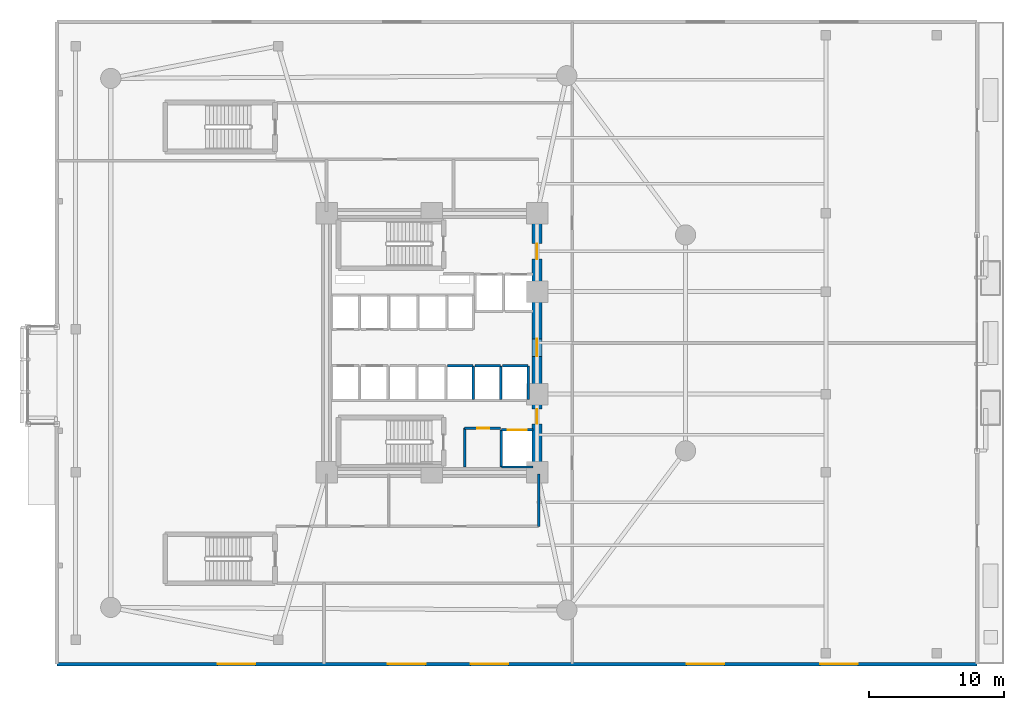
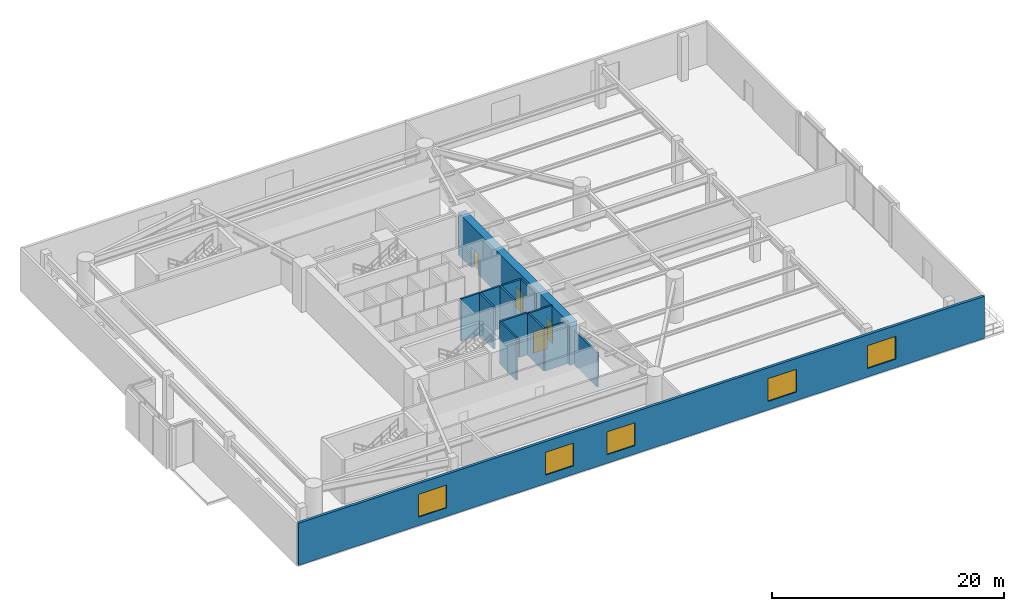
# One storey, part 10 of 16: 14 walls, 5 doors, 5 windows, 10 openings.
"""IFC4 building model written with IfcOpenShell, lengths in metres."""

from ifc_helpers import new_model, si_unit, direction, frame, frame_2d, origin, place, context, subcontext, project, spatial, rectangle, extrude, material, layer, layer_set, type_object, element, fill, save


model = new_model("IFC4")

# Units and contexts
model_context = context("Model", 3, precision=1e-05, world=origin(), true_north=direction((0.0, 1.0)))
body_context = subcontext(model_context, "Body", "Model", "MODEL_VIEW")
ifc_project = project(units=[si_unit("LENGTHUNIT", "METRE"), si_unit("AREAUNIT", "SQUARE_METRE"), si_unit("VOLUMEUNIT", "CUBIC_METRE"), si_unit("PLANEANGLEUNIT", "RADIAN"), si_unit("MASSUNIT", "GRAM", prefix="KILO")], contexts=[model_context])

# Site, building, storey
site_placement = place(None, origin())
site = spatial("IfcSite", under=ifc_project, at=site_placement, CompositionType="ELEMENT")
building_placement = place(site_placement, origin())
building = spatial("IfcBuilding", under=site, at=building_placement, Name="An Khanh Terracotta Commons", CompositionType="ELEMENT")
storey_placement = place(building_placement, frame((0.0, 0.0, 10.050048828125)))
storey = spatial("IfcBuildingStorey", under=building, at=storey_placement, Name="L03", CompositionType="ELEMENT", Elevation=10.050048828125)

# Wall, openings, doors
ifc_material_1 = material(Name="Concrete C70/85", Category="concrete")
ifc_layer_1 = layer(ifc_material_1, 0.75, Name="Concrete C70/85")
ifc_layer_set_1 = layer_set([ifc_layer_1], Name="Concrete C70/85")
wall_type_1 = type_object("IfcWallType", Name="WALL-CORE-750", PredefinedType="SHEAR", material=ifc_layer_set_1)
wall_1_placement = place(storey_placement, frame((37.199951171875, 14.39990234375, 0.0), z_axis=(0.0, 0.0, 1.0), x_axis=(0.0, 1.0, 0.0)))
wall_1 = element("IfcWall", 1, at=wall_1_placement, inside=storey, type_object=wall_type_1, Name="L03 Core Wall CWALL-L03-E", PredefinedType="SHEAR", context=body_context, shape_type="SweptSolid", body=[
    extrude(rectangle(XDim=19.2001953125, YDim=0.75, at=frame_2d((9.60009765625, 0.0))), origin(), (0.0, 0.0, 1.0), 4.429931640625),
])
opening_1_placement = place(wall_1_placement, frame((15.800048828125, 0.0, 0.0)))
opening_1 = element("IfcOpeningElement", 2, at=opening_1_placement, cuts=wall_1, Name="Opening D-FFL", PredefinedType="OPENING", context=body_context, shape_type="SweptSolid", body=[
    extrude(rectangle(XDim=1.14990234375, YDim=2.14990234375, at=frame_2d((0.574951171875, 1.074951171875))), frame((0.0, 0.385009765625, 0.0), z_axis=(0.0, -1.0, 0.0), x_axis=(1.0, 0.0, 0.0)), (0.0, 0.0, 1.0), 0.77001953125),
])
opening_2_placement = place(wall_1_placement, frame((3.60009765625, 0.0, 0.0)))
opening_2 = element("IfcOpeningElement", 3, at=opening_2_placement, cuts=wall_1, Name="Opening D-ST", PredefinedType="OPENING", context=body_context, shape_type="SweptSolid", body=[
    extrude(rectangle(XDim=1.10009765625, YDim=2.14990234375, at=frame_2d((0.550048828125, 1.074951171875))), frame((0.0, 0.385009765625, 0.0), z_axis=(0.0, -1.0, 0.0), x_axis=(1.0, 0.0, 0.0)), (0.0, 0.0, 1.0), 0.77001953125),
])
opening_3_placement = place(wall_1_placement, frame((8.60009765625, 0.0, 0.0)))
opening_3 = element("IfcOpeningElement", 4, at=opening_3_placement, cuts=wall_1, Name="Opening D-COR", PredefinedType="OPENING", context=body_context, shape_type="SweptSolid", body=[
    extrude(rectangle(XDim=1.300048828125, YDim=2.199951171875, at=frame_2d((0.64990234375, 1.10009765625))), frame((0.0, 0.385009765625, 0.0), z_axis=(0.0, -1.0, 0.0), x_axis=(1.0, 0.0, 0.0)), (0.0, 0.0, 1.0), 0.77001953125),
])
ifc_material_2 = material(Name="Fire-Rated Glazed Steel Double Door", Category="steel")
door_type_1 = type_object("IfcDoorType", Name="DOOR-CORR-1300", OperationType="NOTDEFINED", PredefinedType="DOOR", material=ifc_material_2)
door_1_placement = place(opening_3_placement, origin())
door_1 = element("IfcDoor", 5, at=door_1_placement, inside=storey, type_object=door_type_1, Name="L03 Passenger Lift Lobby Double Door", OperationType="DOUBLE_DOOR_SINGLE_SWING", OverallHeight=2.199951171875, OverallWidth=1.300048828125, PredefinedType="DOOR", context=body_context, shape_type="SweptSolid", body=[
    extrude(rectangle(XDim=1.300048828125, YDim=2.199951171875, at=frame_2d((0.64990234375, 1.10009765625))), frame((0.0, 0.02490234375, 0.0), z_axis=(0.0, -1.0, 0.0), x_axis=(1.0, 0.0, 0.0)), (0.0, 0.0, 1.0), 0.050048828125),
])
fill(opening_3, door_1)
ifc_material_3 = material(Name="Fire-Rated Steel Leaf and Vision Panel", Category="steel")
door_type_2 = type_object("IfcDoorType", Name="DOOR-FFL-1150", OperationType="NOTDEFINED", PredefinedType="DOOR", material=ifc_material_3)
door_2_placement = place(opening_1_placement, origin())
door_2 = element("IfcDoor", 6, at=door_2_placement, inside=storey, type_object=door_type_2, Name="L03 Firefighting Lift Lobby Fire Door", OperationType="SINGLE_SWING_LEFT", OverallHeight=2.14990234375, OverallWidth=1.14990234375, PredefinedType="DOOR", context=body_context, shape_type="SweptSolid", body=[
    extrude(rectangle(XDim=1.14990234375, YDim=2.14990234375, at=frame_2d((0.574951171875, 1.074951171875))), frame((0.0, 0.02490234375, 0.0), z_axis=(0.0, -1.0, 0.0), x_axis=(1.0, 0.0, 0.0)), (0.0, 0.0, 1.0), 0.050048828125),
])
fill(opening_1, door_2)
ifc_material_4 = material(Name="Fire-Rated Steel Leaf and Frame", Category="steel")
door_type_3 = type_object("IfcDoorType", Name="DOOR-STAIR-1100", OperationType="NOTDEFINED", PredefinedType="DOOR", material=ifc_material_4)
door_3_placement = place(opening_2_placement, origin())
door_3 = element("IfcDoor", 7, at=door_3_placement, inside=storey, type_object=door_type_3, Name="L03 South Stair Lobby Fire Door", OperationType="SINGLE_SWING_RIGHT", OverallHeight=2.14990234375, OverallWidth=1.10009765625, PredefinedType="DOOR", context=body_context, shape_type="SweptSolid", body=[
    extrude(rectangle(XDim=1.10009765625, YDim=2.14990234375, at=frame_2d((0.550048828125, 1.074951171875))), frame((0.0, 0.02490234375, 0.0), z_axis=(0.0, -1.0, 0.0), x_axis=(1.0, 0.0, 0.0)), (0.0, 0.0, 1.0), 0.050048828125),
])
fill(opening_2, door_3)

# Wall, opening, door
ifc_material_5 = material(Name="Fire-Rated Gypsum Board on Steel Stud", Category="steel")
ifc_layer_2 = layer(ifc_material_5, 0.179931640625, Name="Fire-Rated Gypsum Board on Steel Stud")
ifc_layer_set_2 = layer_set([ifc_layer_2], Name="Fire-Rated Gypsum Board on Steel Stud")
wall_type_2 = type_object("IfcWallType", Name="WALL-CORR-180", PredefinedType="PARTITIONING", material=ifc_layer_set_2)
wall_2_placement = place(storey_placement, frame((31.820068359375, 17.679931640625, 0.0), z_axis=(0.0, 0.0, 1.0), x_axis=(1.0, 0.0, 0.0)))
wall_2 = element("IfcWall", 8, at=wall_2_placement, inside=storey, type_object=wall_type_2, Name="L03 Core Wall SSVCW-L03-N", PredefinedType="PARTITIONING", context=body_context, shape_type="SweptSolid", body=[
    extrude(rectangle(XDim=2.659912109375, YDim=0.179931640625, at=frame_2d((1.330078125, 0.0))), origin(), (0.0, 0.0, 1.0), 4.429931640625),
])
opening_4_placement = place(wall_2_placement, frame((0.949951171875, 0.0, 0.0)))
opening_4 = element("IfcOpeningElement", 9, at=opening_4_placement, cuts=wall_2, Name="Opening D-SV", PredefinedType="OPENING", context=body_context, shape_type="SweptSolid", body=[
    extrude(rectangle(XDim=0.89990234375, YDim=2.050048828125, at=frame_2d((0.449951171875, 1.02490234375))), frame((0.0, 0.099853515625, 0.0), z_axis=(0.0, -1.0, 0.0), x_axis=(1.0, 0.0, 0.0)), (0.0, 0.0, 1.0), 0.199951171875),
])
ifc_material_6 = material(Name="Fire-Rated Powder-Coated Steel Door", Category="steel")
door_type_4 = type_object("IfcDoorType", Name="DOOR-SERV-900", OperationType="NOTDEFINED", PredefinedType="DOOR", material=ifc_material_6)
door_4_placement = place(opening_4_placement, origin())
door_4 = element("IfcDoor", 10, at=door_4_placement, inside=storey, type_object=door_type_4, Name="L03 Electrical Switch Cupboard Door", OperationType="SINGLE_SWING_LEFT", OverallHeight=2.050048828125, OverallWidth=0.89990234375, PredefinedType="DOOR", context=body_context, shape_type="SweptSolid", body=[
    extrude(rectangle(XDim=0.89990234375, YDim=2.050048828125, at=frame_2d((0.449951171875, 1.02490234375))), frame((0.0, 0.02490234375, 0.0), z_axis=(0.0, -1.0, 0.0), x_axis=(1.0, 0.0, 0.0)), (0.0, 0.0, 1.0), 0.050048828125),
])
fill(opening_4, door_4)

# Wall
wall_3_placement = place(storey_placement, frame((31.820068359375, 14.800048828125, 0.0), z_axis=(0.0, 0.0, 1.0), x_axis=(0.0, 1.0, 0.0)))
element("IfcWall", 11, at=wall_3_placement, inside=storey, type_object=wall_type_2, Name="L03 Core Wall SSVCW-L03-W", PredefinedType="PARTITIONING", context=body_context, shape_type="SweptSolid", body=[
    extrude(rectangle(XDim=2.8798828125, YDim=0.179931640625, at=frame_2d((1.43994140625, 0.0))), origin(), (0.0, 0.0, 1.0), 4.429931640625),
])

# Wall, opening, door
wall_4_placement = place(storey_placement, frame((34.550048828125, 17.550048828125, 0.0), z_axis=(0.0, 0.0, 1.0), x_axis=(1.0, 0.0, 0.0)))
wall_4 = element("IfcWall", 12, at=wall_4_placement, inside=storey, type_object=wall_type_2, Name="L03 Core Wall LSH-L03-SVL-01-N", PredefinedType="PARTITIONING", context=body_context, shape_type="SweptSolid", body=[
    extrude(rectangle(XDim=2.349853515625, YDim=0.179931640625, at=frame_2d((1.1748046875, 0.0))), origin(), (0.0, 0.0, 1.0), 4.429931640625),
])
opening_5_placement = place(wall_4_placement, frame((0.47509765625, 0.0, 0.0)))
opening_5 = element("IfcOpeningElement", 13, at=opening_5_placement, cuts=wall_4, Name="Opening LD-SVL-01-L03", PredefinedType="OPENING", context=body_context, shape_type="SweptSolid", body=[
    extrude(rectangle(XDim=1.39990234375, YDim=2.300048828125, at=frame_2d((0.699951171875, 1.14990234375))), frame((0.0, 0.099853515625, 0.0), z_axis=(0.0, -1.0, 0.0), x_axis=(1.0, 0.0, 0.0)), (0.0, 0.0, 1.0), 0.199951171875),
])
ifc_material_7 = material(Name="Heavy-Duty Stainless Steel Goods Landing Door", Category="steel")
door_type_5 = type_object("IfcDoorType", Name="DOOR-LD-SVL-1400", OperationType="NOTDEFINED", PredefinedType="DOOR", material=ifc_material_7)
door_5_placement = place(opening_5_placement, origin())
door_5 = element("IfcDoor", 14, at=door_5_placement, inside=storey, type_object=door_type_5, Name="L03 Lift SVL-01 Sliding Landing Door", OperationType="DOUBLE_DOOR_SLIDING", OverallHeight=2.300048828125, OverallWidth=1.39990234375, PredefinedType="DOOR", context=body_context, shape_type="SweptSolid", body=[
    extrude(rectangle(XDim=1.39990234375, YDim=2.300048828125, at=frame_2d((0.699951171875, 1.14990234375))), frame((0.0, 0.02490234375, 0.0), z_axis=(0.0, -1.0, 0.0), x_axis=(1.0, 0.0, 0.0)), (0.0, 0.0, 1.0), 0.050048828125),
])
fill(opening_5, door_5)

# Walls
wall_5_placement = place(storey_placement, frame((36.89990234375, 14.800048828125, 0.0), z_axis=(0.0, 0.0, 1.0), x_axis=(-1.0, 0.0, 0.0)))
element("IfcWall", 15, at=wall_5_placement, inside=storey, type_object=wall_type_2, Name="L03 Core Wall LSH-L03-SVL-01-S", PredefinedType="PARTITIONING", context=body_context, shape_type="SweptSolid", body=[
    extrude(rectangle(XDim=2.349853515625, YDim=0.179931640625, at=frame_2d((1.1748046875, 0.0))), origin(), (0.0, 0.0, 1.0), 4.429931640625),
])
wall_6_placement = place(storey_placement, frame((34.550048828125, 17.550048828125, 0.0), z_axis=(0.0, 0.0, 1.0), x_axis=(0.0, -1.0, 0.0)))
element("IfcWall", 16, at=wall_6_placement, inside=storey, type_object=wall_type_2, Name="L03 Core Wall LSH-L03-SVL-01-W", PredefinedType="PARTITIONING", context=body_context, shape_type="SweptSolid", body=[
    extrude(rectangle(XDim=2.75, YDim=0.179931640625, at=frame_2d((1.375, 0.0))), origin(), (0.0, 0.0, 1.0), 4.429931640625),
])
wall_7_placement = place(storey_placement, frame((30.56005859375, 22.300048828125, 0.0), z_axis=(0.0, 0.0, 1.0), x_axis=(1.0, 0.0, 0.0)))
element("IfcWall", 17, at=wall_7_placement, inside=storey, type_object=wall_type_2, Name="L03 Core Wall LSH-L03-PL-H2-N", PredefinedType="PARTITIONING", context=body_context, shape_type="SweptSolid", body=[
    extrude(rectangle(XDim=1.89990234375, YDim=0.179931640625, at=frame_2d((0.949951171875, 0.0))), origin(), (0.0, 0.0, 1.0), 4.429931640625),
])
wall_8_placement = place(storey_placement, frame((32.4599609375, 19.800048828125, 0.0), z_axis=(0.0, 0.0, 1.0), x_axis=(0.0, 1.0, 0.0)))
element("IfcWall", 18, at=wall_8_placement, inside=storey, type_object=wall_type_2, Name="L03 Core Wall LSH-L03-PL-H2-E", PredefinedType="PARTITIONING", context=body_context, shape_type="SweptSolid", body=[
    extrude(rectangle(XDim=2.5, YDim=0.179931640625, at=frame_2d((1.25, 0.0))), origin(), (0.0, 0.0, 1.0), 4.429931640625),
])
wall_9_placement = place(storey_placement, frame((32.60009765625, 22.300048828125, 0.0), z_axis=(0.0, 0.0, 1.0), x_axis=(1.0, 0.0, 0.0)))
element("IfcWall", 19, at=wall_9_placement, inside=storey, type_object=wall_type_2, Name="L03 Core Wall LSH-L03-PL-H3-N", PredefinedType="PARTITIONING", context=body_context, shape_type="SweptSolid", body=[
    extrude(rectangle(XDim=1.89990234375, YDim=0.179931640625, at=frame_2d((0.949951171875, 0.0))), origin(), (0.0, 0.0, 1.0), 4.429931640625),
])
wall_10_placement = place(storey_placement, frame((34.5, 19.800048828125, 0.0), z_axis=(0.0, 0.0, 1.0), x_axis=(0.0, 1.0, 0.0)))
element("IfcWall", 20, at=wall_10_placement, inside=storey, type_object=wall_type_2, Name="L03 Core Wall LSH-L03-PL-H3-E", PredefinedType="PARTITIONING", context=body_context, shape_type="SweptSolid", body=[
    extrude(rectangle(XDim=2.5, YDim=0.179931640625, at=frame_2d((1.25, 0.0))), origin(), (0.0, 0.0, 1.0), 4.429931640625),
])
wall_11_placement = place(storey_placement, frame((34.639892578125, 22.300048828125, 0.0), z_axis=(0.0, 0.0, 1.0), x_axis=(1.0, 0.0, 0.0)))
element("IfcWall", 21, at=wall_11_placement, inside=storey, type_object=wall_type_2, Name="L03 Core Wall LSH-L03-PL-H4-N", PredefinedType="PARTITIONING", context=body_context, shape_type="SweptSolid", body=[
    extrude(rectangle(XDim=1.900146484375, YDim=0.179931640625, at=frame_2d((0.9501953125, 0.0))), origin(), (0.0, 0.0, 1.0), 4.429931640625),
])
wall_12_placement = place(storey_placement, frame((36.5400390625, 19.800048828125, 0.0), z_axis=(0.0, 0.0, 1.0), x_axis=(0.0, 1.0, 0.0)))
element("IfcWall", 22, at=wall_12_placement, inside=storey, type_object=wall_type_2, Name="L03 Core Wall LSH-L03-PL-H4-E", PredefinedType="PARTITIONING", context=body_context, shape_type="SweptSolid", body=[
    extrude(rectangle(XDim=2.5, YDim=0.179931640625, at=frame_2d((1.25, 0.0))), origin(), (0.0, 0.0, 1.0), 4.429931640625),
])
wall_13_placement = place(storey_placement, frame((37.31005859375, 10.39990234375, 0.0), z_axis=(0.0, 0.0, 1.0), x_axis=(0.0, 1.0, 0.0)))
element("IfcWall", 23, at=wall_13_placement, inside=storey, type_object=wall_type_2, Name="L03 Interior Partition IW-L03-E012", PredefinedType="PARTITIONING", context=body_context, shape_type="SweptSolid", body=[
    extrude(rectangle(XDim=3.880126953125, YDim=0.179931640625, at=frame_2d((1.93994140625, 0.0))), origin(), (0.0, 0.0, 1.0), 3.612060546875),
])

# Wall, openings, windows
ifc_material_8 = material(Name="Concrete C40/50", Category="concrete")
ifc_layer_3 = layer(ifc_material_8, 0.260009765625, Name="Concrete C40/50")
ifc_layer_set_3 = layer_set([ifc_layer_3], Name="Concrete C40/50")
wall_type_3 = type_object("IfcWallType", Name="WALL-POD-260", PredefinedType="SOLIDWALL", material=ifc_layer_set_3)
wall_14_placement = place(storey_placement, frame((69.800048828125, 0.199951171875, 0.0), z_axis=(0.0, 0.0, 1.0), x_axis=(-1.0, 0.0, 0.0)))
wall_14 = element("IfcWall", 24, at=wall_14_placement, inside=storey, type_object=wall_type_3, Name="L03 South Exterior Wall", PredefinedType="SOLIDWALL", context=body_context, shape_type="SweptSolid", body=[
    extrude(rectangle(XDim=68.199951171875, YDim=0.260009765625, at=frame_2d((34.10009765625, 0.0))), origin(), (0.0, 0.0, 1.0), 4.429931640625),
])
opening_6_placement = place(wall_14_placement, frame((8.8330078125, 0.0, 0.89990234375)))
opening_6 = element("IfcOpeningElement", 25, at=opening_6_placement, cuts=wall_14, Name="Opening W-08", PredefinedType="OPENING", context=body_context, shape_type="SweptSolid", body=[
    extrude(rectangle(XDim=2.800048828125, YDim=2.39990234375, at=frame_2d((1.39990234375, 1.199951171875))), frame((0.0, 0.139892578125, 0.0), z_axis=(0.0, -1.0, 0.0), x_axis=(1.0, 0.0, 0.0)), (0.0, 0.0, 1.0), 0.280029296875),
])
opening_7_placement = place(wall_14_placement, frame((18.717041015625, 0.0, 0.89990234375)))
opening_7 = element("IfcOpeningElement", 26, at=opening_7_placement, cuts=wall_14, Name="Opening W-08", PredefinedType="OPENING", context=body_context, shape_type="SweptSolid", body=[
    extrude(rectangle(XDim=2.800048828125, YDim=2.39990234375, at=frame_2d((1.39990234375, 1.199951171875))), frame((0.0, 0.139892578125, 0.0), z_axis=(0.0, -1.0, 0.0), x_axis=(1.0, 0.0, 0.0)), (0.0, 0.0, 1.0), 0.280029296875),
])
opening_8_placement = place(wall_14_placement, frame((34.73291015625, 0.0, 0.89990234375)))
opening_8 = element("IfcOpeningElement", 27, at=opening_8_placement, cuts=wall_14, Name="Opening W-08", PredefinedType="OPENING", context=body_context, shape_type="SweptSolid", body=[
    extrude(rectangle(XDim=2.800048828125, YDim=2.39990234375, at=frame_2d((1.39990234375, 1.199951171875))), frame((0.0, 0.139892578125, 0.0), z_axis=(0.0, -1.0, 0.0), x_axis=(1.0, 0.0, 0.0)), (0.0, 0.0, 1.0), 0.280029296875),
])
opening_9_placement = place(wall_14_placement, frame((40.866943359375, 0.0, 0.89990234375)))
opening_9 = element("IfcOpeningElement", 28, at=opening_9_placement, cuts=wall_14, Name="Opening W-08", PredefinedType="OPENING", context=body_context, shape_type="SweptSolid", body=[
    extrude(rectangle(XDim=2.800048828125, YDim=2.39990234375, at=frame_2d((1.39990234375, 1.199951171875))), frame((0.0, 0.139892578125, 0.0), z_axis=(0.0, -1.0, 0.0), x_axis=(1.0, 0.0, 0.0)), (0.0, 0.0, 1.0), 0.280029296875),
])
opening_10_placement = place(wall_14_placement, frame((53.48291015625, 0.0, 0.89990234375)))
opening_10 = element("IfcOpeningElement", 29, at=opening_10_placement, cuts=wall_14, Name="Opening W-08", PredefinedType="OPENING", context=body_context, shape_type="SweptSolid", body=[
    extrude(rectangle(XDim=2.800048828125, YDim=2.39990234375, at=frame_2d((1.39990234375, 1.199951171875))), frame((0.0, 0.139892578125, 0.0), z_axis=(0.0, -1.0, 0.0), x_axis=(1.0, 0.0, 0.0)), (0.0, 0.0, 1.0), 0.280029296875),
])
ifc_material_9 = material(Name="Thermally Broken Aluminium and Low-E Glass", Category="aluminium")
window_type = type_object("IfcWindowType", Name="WIN-POD-2800x2400", PartitioningType="TRIPLE_PANEL_VERTICAL", PredefinedType="WINDOW", material=ifc_material_9)
window_1_placement = place(opening_6_placement, origin())
window_1 = element("IfcWindow", 30, at=window_1_placement, inside=storey, type_object=window_type, Name="L03 South Podium Window 1", OverallHeight=2.39990234375, OverallWidth=2.800048828125, PartitioningType="TRIPLE_PANEL_VERTICAL", PredefinedType="WINDOW", context=body_context, shape_type="SweptSolid", body=[
    extrude(rectangle(XDim=2.800048828125, YDim=2.39990234375, at=frame_2d((1.39990234375, 1.199951171875))), frame((0.0, 0.030029296875, 0.0), z_axis=(0.0, -1.0, 0.0), x_axis=(1.0, 0.0, 0.0)), (0.0, 0.0, 1.0), 0.06005859375),
])
fill(opening_6, window_1)
window_2_placement = place(opening_7_placement, origin())
window_2 = element("IfcWindow", 31, at=window_2_placement, inside=storey, type_object=window_type, Name="L03 South Podium Window 2", OverallHeight=2.39990234375, OverallWidth=2.800048828125, PartitioningType="TRIPLE_PANEL_VERTICAL", PredefinedType="WINDOW", context=body_context, shape_type="SweptSolid", body=[
    extrude(rectangle(XDim=2.800048828125, YDim=2.39990234375, at=frame_2d((1.39990234375, 1.199951171875))), frame((0.0, 0.030029296875, 0.0), z_axis=(0.0, -1.0, 0.0), x_axis=(1.0, 0.0, 0.0)), (0.0, 0.0, 1.0), 0.06005859375),
])
fill(opening_7, window_2)
window_3_placement = place(opening_8_placement, origin())
window_3 = element("IfcWindow", 32, at=window_3_placement, inside=storey, type_object=window_type, Name="L03 South Podium Window 3", OverallHeight=2.39990234375, OverallWidth=2.800048828125, PartitioningType="TRIPLE_PANEL_VERTICAL", PredefinedType="WINDOW", context=body_context, shape_type="SweptSolid", body=[
    extrude(rectangle(XDim=2.800048828125, YDim=2.39990234375, at=frame_2d((1.39990234375, 1.199951171875))), frame((0.0, 0.030029296875, 0.0), z_axis=(0.0, -1.0, 0.0), x_axis=(1.0, 0.0, 0.0)), (0.0, 0.0, 1.0), 0.06005859375),
])
fill(opening_8, window_3)
window_4_placement = place(opening_9_placement, origin())
window_4 = element("IfcWindow", 33, at=window_4_placement, inside=storey, type_object=window_type, Name="L03 South Podium Window 4", OverallHeight=2.39990234375, OverallWidth=2.800048828125, PartitioningType="TRIPLE_PANEL_VERTICAL", PredefinedType="WINDOW", context=body_context, shape_type="SweptSolid", body=[
    extrude(rectangle(XDim=2.800048828125, YDim=2.39990234375, at=frame_2d((1.39990234375, 1.199951171875))), frame((0.0, 0.030029296875, 0.0), z_axis=(0.0, -1.0, 0.0), x_axis=(1.0, 0.0, 0.0)), (0.0, 0.0, 1.0), 0.06005859375),
])
fill(opening_9, window_4)
window_5_placement = place(opening_10_placement, origin())
window_5 = element("IfcWindow", 34, at=window_5_placement, inside=storey, type_object=window_type, Name="L03 South Podium Window 5", OverallHeight=2.39990234375, OverallWidth=2.800048828125, PartitioningType="TRIPLE_PANEL_VERTICAL", PredefinedType="WINDOW", context=body_context, shape_type="SweptSolid", body=[
    extrude(rectangle(XDim=2.800048828125, YDim=2.39990234375, at=frame_2d((1.39990234375, 1.199951171875))), frame((0.0, 0.030029296875, 0.0), z_axis=(0.0, -1.0, 0.0), x_axis=(1.0, 0.0, 0.0)), (0.0, 0.0, 1.0), 0.06005859375),
])
fill(opening_10, window_5)

save(model, "model.ifc")
